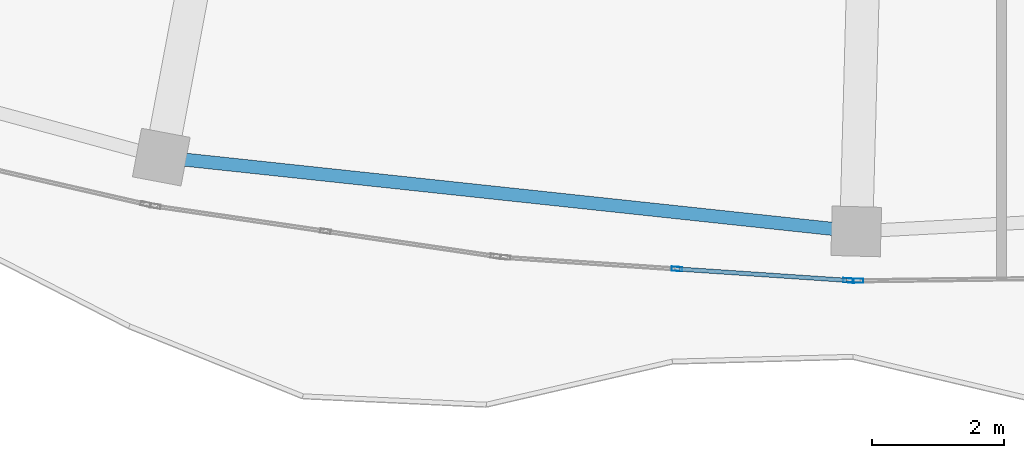
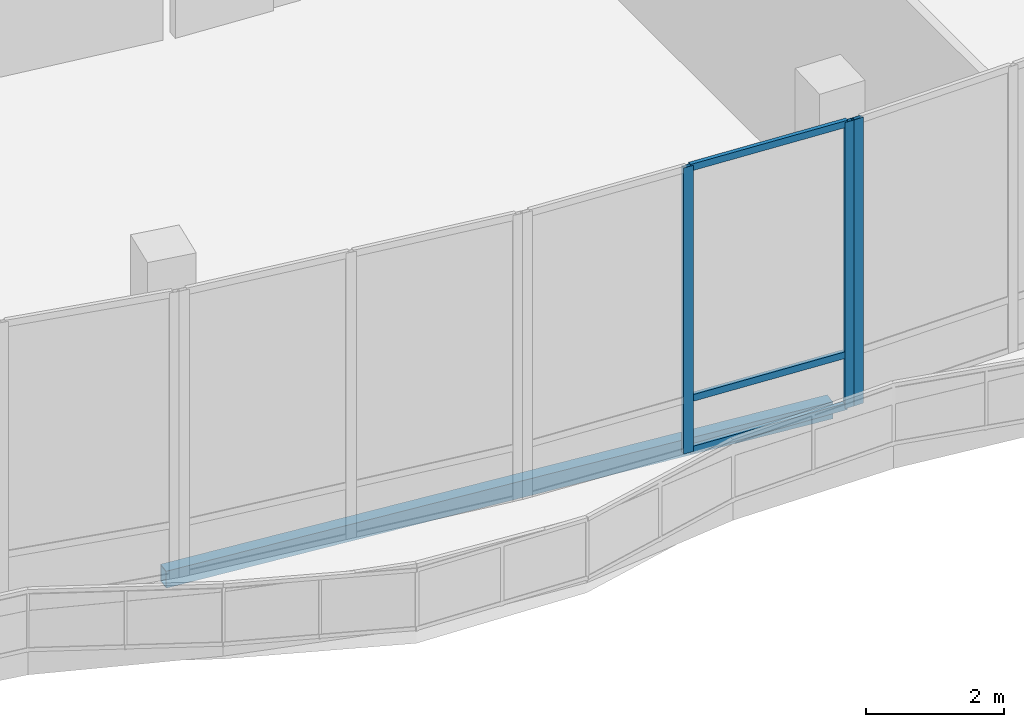
# One storey, part 25 of 158: 6 members, 1 beam, 2 elements without a shape of their own.
"""IFC4 building model written with IfcOpenShell, lengths in metres."""

from ifc_helpers import new_model, si_unit, direction, frame, origin, origin_2d, place, context, subcontext, project, spatial, hollow_rectangle, extrude, material, material_profile, profile_set, type_object, element, aggregate, save


model = new_model("IFC4")

# Units and contexts
model_context = context("Model", 3, precision=1e-05, world=origin(), true_north=direction((0.0, 1.0)))
body_context = subcontext(model_context, "Body", "Model", "MODEL_VIEW")
ifc_project = project(units=[si_unit("LENGTHUNIT", "METRE"), si_unit("AREAUNIT", "SQUARE_METRE"), si_unit("VOLUMEUNIT", "CUBIC_METRE"), si_unit("PLANEANGLEUNIT", "RADIAN"), si_unit("MASSUNIT", "GRAM", prefix="KILO")], contexts=[model_context])

# Site, building, storey
site_placement = place(None, origin())
site = spatial("IfcSite", under=ifc_project, at=site_placement, CompositionType="ELEMENT")
building_placement = place(site_placement, origin())
building = spatial("IfcBuilding", under=site, at=building_placement, Name="Selatvlak General Hospital", CompositionType="ELEMENT")
storey_placement = place(building_placement, origin())
storey = spatial("IfcBuildingStorey", under=building, at=storey_placement, Name="L00", CompositionType="ELEMENT", Elevation=0.0)

# Beam
ifc_material_1 = material(Name="Steel S355", Category="steel")
ifc_material_profile_1 = material_profile(ifc_material_1, hollow_rectangle(XDim=0.199951171875, YDim=0.300048828125, WallThickness=0.011962890625, at=origin_2d()), Name="RHS 300x200x12")
ifc_profile_set_1 = profile_set([ifc_material_profile_1], Name="Steel S355")
beam_type = type_object("IfcBeamType", Name="BM-SP3", PredefinedType="SPANDREL", material=ifc_profile_set_1)
beam_placement = place(storey_placement, frame((43.652099609375, 13.902099609375, -0.5), z_axis=(0.99433421111, -0.106298996311, 0.0), x_axis=(0.106298996311, 0.99433421111, 0.0)))
element("IfcBeam", 1, at=beam_placement, inside=storey, type_object=beam_type, Name="Beam BMR-L00-0370", PredefinedType="SPANDREL", context=body_context, shape_type="SweptSolid", body=[
    extrude(hollow_rectangle(XDim=0.199951171875, YDim=0.300048828125, WallThickness=0.011962890625, at=origin_2d()), origin(), (0.0, 0.0, 1.0), 10.60400390625),
])

# Curtain wall, member
ifc_material_2 = material(Name="Solar-control Low-E double glazing", Category="glass")
curtain_wall_type_1 = type_object("IfcCurtainWallType", Name="CW-CW-02", PredefinedType="USERDEFINED", material=ifc_material_2)
curtain_wall_1_placement = place(storey_placement, origin())
curtain_wall_1 = element("IfcCurtainWall", 2, at=curtain_wall_1_placement, inside=storey, type_object=curtain_wall_type_1, Name="Glazed facade curtain wall CW-L00-0054", ObjectType="UNITISED CURTAIN WALL", PredefinedType="USERDEFINED")
ifc_material_3 = material(Name="Dark anodised aluminium mullion", Category="aluminium")
ifc_material_profile_2 = material_profile(ifc_material_3, hollow_rectangle(XDim=0.06494140625, YDim=0.159912109375, WallThickness=0.00390625, at=origin_2d()), Name="AL-MUL 65x160x4")
ifc_profile_set_2 = profile_set([ifc_material_profile_2], Name="Dark anodised aluminium mullion")
member_type_1 = type_object("IfcMemberType", Name="CWM-01", PredefinedType="MULLION", material=ifc_profile_set_2)
member_1_placement = place(storey_placement, frame((54.224609375, 12.025390625, 0.0), z_axis=(0.0, 0.0, 1.0), x_axis=(0.012671575694, -0.999919712362, 0.0)))
member_1 = element("IfcMember", 3, at=member_1_placement, type_object=member_type_1, Name="CW-02 mullion 3", PredefinedType="MULLION", context=body_context, shape_type="SweptSolid", body=[
    extrude(hollow_rectangle(XDim=0.06494140625, YDim=0.159912109375, WallThickness=0.00390625, at=origin_2d()), origin(), (0.0, 0.0, 1.0), 5.080078125),
])
aggregate(curtain_wall_1, [member_1])

# Curtain wall, members
curtain_wall_type_2 = type_object("IfcCurtainWallType", Name="CW-CW-01", PredefinedType="USERDEFINED", material=ifc_material_2)
curtain_wall_2_placement = place(storey_placement, origin())
curtain_wall_2 = element("IfcCurtainWall", 4, at=curtain_wall_2_placement, inside=storey, type_object=curtain_wall_type_2, Name="Glazed facade curtain wall CW-L00-0055", ObjectType="UNITISED CURTAIN WALL", PredefinedType="USERDEFINED")
member_2_placement = place(storey_placement, frame((54.07958984375, 12.03125, 0.0), z_axis=(0.0, 0.0, 1.0), x_axis=(-0.066782696801, -0.997767543774, 0.0)))
member_2 = element("IfcMember", 5, at=member_2_placement, type_object=member_type_1, Name="CW-01 mullion 1", PredefinedType="MULLION", context=body_context, shape_type="SweptSolid", body=[
    extrude(hollow_rectangle(XDim=0.06494140625, YDim=0.159912109375, WallThickness=0.00390625, at=origin_2d()), origin(), (0.0, 0.0, 1.0), 5.080078125),
])
member_3_placement = place(storey_placement, frame((51.47509765625, 12.20556640625, 0.0), z_axis=(0.0, 0.0, 1.0), x_axis=(-0.066782696801, -0.997767543774, 0.0)))
member_3 = element("IfcMember", 6, at=member_3_placement, type_object=member_type_1, Name="CW-01 mullion 2", PredefinedType="MULLION", context=body_context, shape_type="SweptSolid", body=[
    extrude(hollow_rectangle(XDim=0.06494140625, YDim=0.159912109375, WallThickness=0.00390625, at=origin_2d()), origin(), (0.0, 0.0, 1.0), 5.080078125),
])
ifc_material_profile_3 = material_profile(ifc_material_3, hollow_rectangle(XDim=0.06494140625, YDim=0.1201171875, WallThickness=0.00390625, at=origin_2d()), Name="AL-TRN 65x120x4")
ifc_profile_set_3 = profile_set([ifc_material_profile_3], Name="Dark anodised aluminium mullion")
member_type_2 = type_object("IfcMemberType", Name="CWT-01", PredefinedType="USERDEFINED", material=ifc_profile_set_3)
member_4_placement = place(storey_placement, frame((54.047119140625, 12.033447265625, 0.032470703125), z_axis=(-0.997769427698, 0.066754544043, 0.0), x_axis=(-0.066754544043, -0.997769427698, 0.0)))
member_4 = element("IfcMember", 7, at=member_4_placement, type_object=member_type_2, Name="CW-01 transom 1.1", ObjectType="TRANSOM", PredefinedType="USERDEFINED", context=body_context, shape_type="SweptSolid", body=[
    extrude(hollow_rectangle(XDim=0.06494140625, YDim=0.1201171875, WallThickness=0.00390625, at=origin_2d()), origin(), (0.0, 0.0, 1.0), 2.54541015625),
])
member_5_placement = place(storey_placement, frame((54.047119140625, 12.033447265625, 0.949951171875), z_axis=(-0.997769427698, 0.066754544043, 0.0), x_axis=(-0.066754544043, -0.997769427698, 0.0)))
member_5 = element("IfcMember", 8, at=member_5_placement, type_object=member_type_2, Name="CW-01 transom 1.2", ObjectType="TRANSOM", PredefinedType="USERDEFINED", context=body_context, shape_type="SweptSolid", body=[
    extrude(hollow_rectangle(XDim=0.06494140625, YDim=0.1201171875, WallThickness=0.00390625, at=origin_2d()), origin(), (0.0, 0.0, 1.0), 2.54541015625),
])
member_6_placement = place(storey_placement, frame((54.047119140625, 12.033447265625, 5.047607421875), z_axis=(-0.997769427698, 0.066754544043, 0.0), x_axis=(-0.066754544043, -0.997769427698, 0.0)))
member_6 = element("IfcMember", 9, at=member_6_placement, type_object=member_type_2, Name="CW-01 transom 1.3", ObjectType="TRANSOM", PredefinedType="USERDEFINED", context=body_context, shape_type="SweptSolid", body=[
    extrude(hollow_rectangle(XDim=0.06494140625, YDim=0.1201171875, WallThickness=0.00390625, at=origin_2d()), origin(), (0.0, 0.0, 1.0), 2.54541015625),
])
aggregate(curtain_wall_2, [member_2, member_3, member_4, member_5, member_6])

save(model, "model.ifc")
